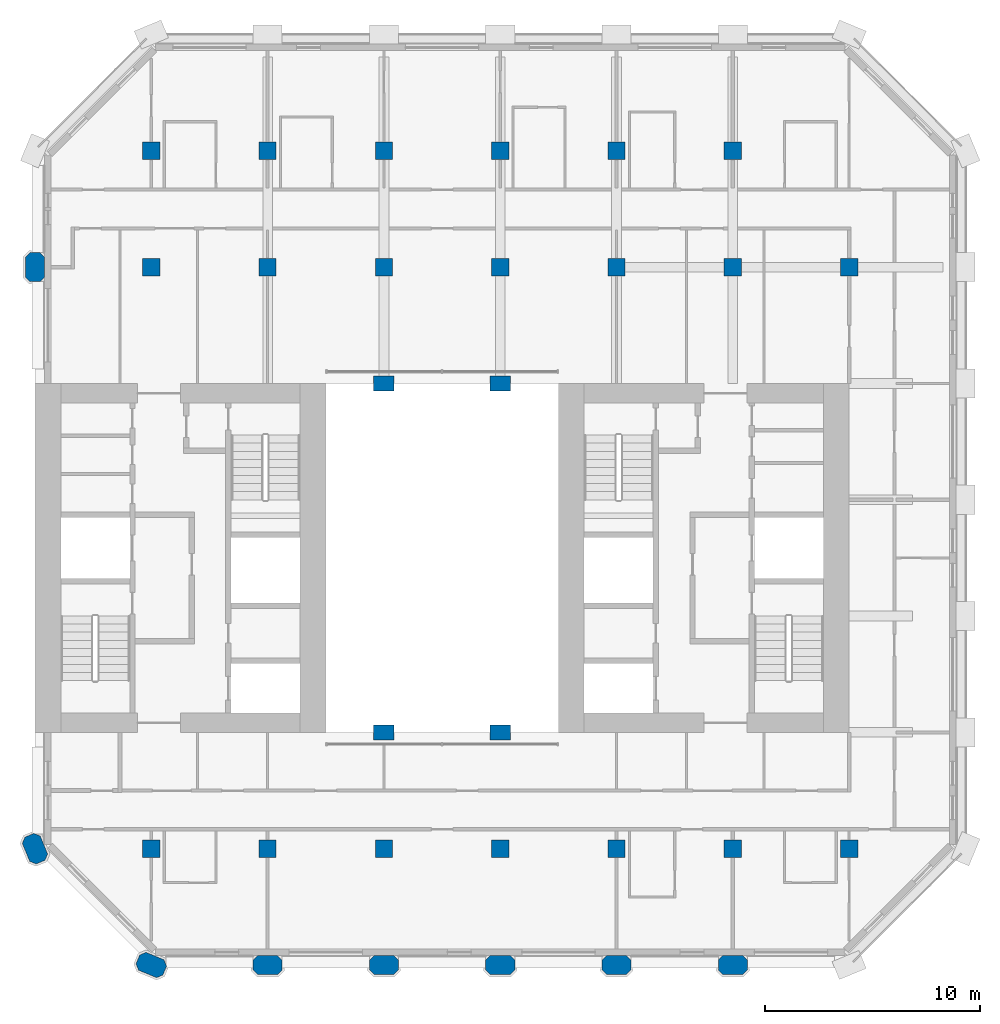
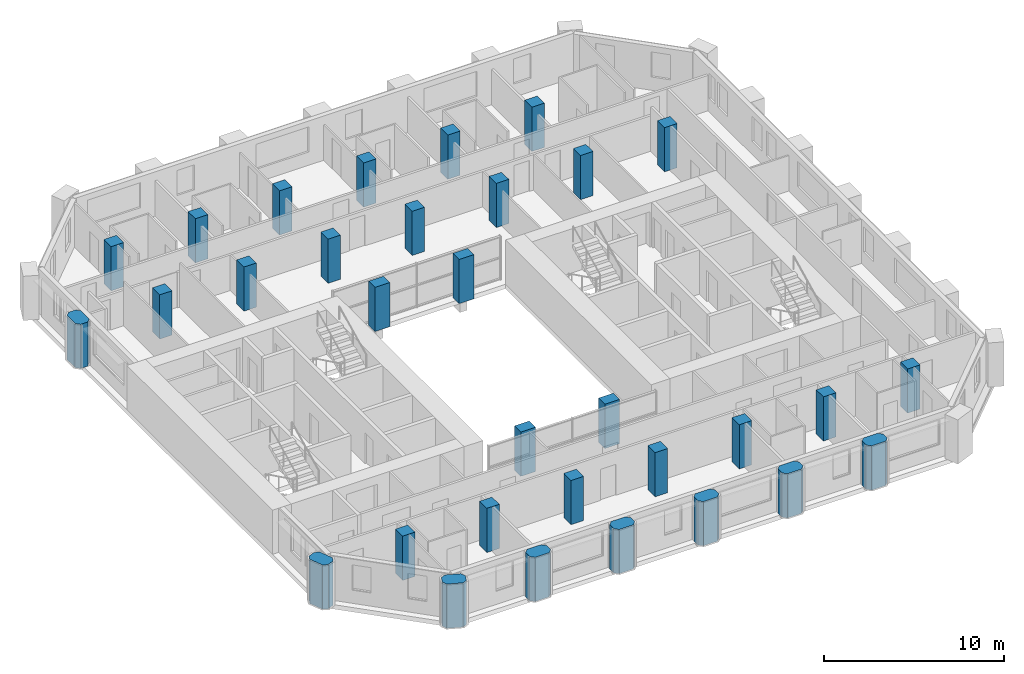
# One storey, part 1 of 12: 32 columns.
"""IFC4 building model written with IfcOpenShell, lengths in metres."""

from ifc_helpers import new_model, si_unit, direction, frame, origin, origin_2d, place, context, subcontext, project, spatial, polyline, rectangle, outline, extrude, material, material_profile, profile_set, type_object, element, save


model = new_model("IFC4")

# Units and contexts
model_context = context("Model", 3, precision=1e-05, world=origin(), true_north=direction((0.0, 1.0)))
body_context = subcontext(model_context, "Body", "Model", "MODEL_VIEW")
ifc_project = project(units=[si_unit("LENGTHUNIT", "METRE"), si_unit("AREAUNIT", "SQUARE_METRE"), si_unit("VOLUMEUNIT", "CUBIC_METRE"), si_unit("PLANEANGLEUNIT", "RADIAN"), si_unit("MASSUNIT", "GRAM", prefix="KILO")], contexts=[model_context])

# Site, building, storey
site_placement = place(None, origin())
site = spatial("IfcSite", under=ifc_project, at=site_placement, CompositionType="ELEMENT")
building_placement = place(site_placement, origin())
building = spatial("IfcBuilding", under=site, at=building_placement, Name="Tabaq Tower and Sports Hall", CompositionType="ELEMENT")
storey_placement = place(building_placement, frame((0.0, 0.0, 190.60009765625)))
storey = spatial("IfcBuildingStorey", under=building, at=storey_placement, Name="L46", CompositionType="ELEMENT", Elevation=190.60009765625)

# Columns
ifc_material_1 = material(Name="Concrete C50/60", Category="concrete")
ifc_material_profile_1 = material_profile(ifc_material_1, rectangle(XDim=0.949951171875, YDim=0.699951171875, at=origin_2d()), Name="ATRIUM COLUMN 950x700")
ifc_profile_set_1 = profile_set([ifc_material_profile_1], Name="Concrete C50/60")
column_type_1 = type_object("IfcColumnType", Name="RC COLUMN ATRIUM COLUMN 950x700 C50/60", PredefinedType="COLUMN", material=ifc_profile_set_1)
for number, where, z_axis, x_axis, name in (
    (1, (21.60009765625, 16.199951171875, 0.0), (0.0, 0.0, 1.0), (1.0, 0.0, 0.0), "Atrium Column 5/D L46"),
    (2, (27.0, 16.199951171875, 0.0), (0.0, 0.0, 1.0), (1.0, 0.0, 0.0), "Atrium Column 6/D L46"),
    (3, (21.60009765625, 32.39990234375, 0.0), (0.0, 0.0, 1.0), (1.0, 0.0, 0.0), "Atrium Column 5/G L46"),
    (4, (27.0, 32.39990234375, 0.0), (0.0, 0.0, 1.0), (1.0, 0.0, 0.0), "Atrium Column 6/G L46"),
):
    element("IfcColumn", number, at=place(storey_placement, frame(where, z_axis=z_axis, x_axis=x_axis)), inside=storey, type_object=column_type_1, Name=name, PredefinedType="COLUMN", context=body_context, shape_type="SweptSolid", body=[
        extrude(rectangle(XDim=0.949951171875, YDim=0.699951171875, at=origin_2d()), origin(), (0.0, 0.0, 1.0), 3.0),
    ])
ifc_material_2 = material(Name="Concrete C50/60", Category="concrete")
ifc_material_profile_2 = material_profile(ifc_material_2, rectangle(XDim=0.800048828125, YDim=0.800048828125, at=origin_2d()), Name="COLUMN 800x800")
ifc_profile_set_2 = profile_set([ifc_material_profile_2], Name="Concrete C50/60")
column_type_2 = type_object("IfcColumnType", Name="RC COLUMN COLUMN 800x800 C50/60", PredefinedType="COLUMN", material=ifc_profile_set_2)
for number, where, z_axis, x_axis, name in (
    (5, (10.800048828125, 10.800048828125, 0.0), (0.0, 0.0, 1.0), (1.0, 0.0, 0.0), "Column 3/C L46"),
    (6, (16.199951171875, 10.800048828125, 0.0), (0.0, 0.0, 1.0), (1.0, 0.0, 0.0), "Column 4/C L46"),
    (7, (21.60009765625, 10.800048828125, 0.0), (0.0, 0.0, 1.0), (1.0, 0.0, 0.0), "Column 5/C L46"),
    (8, (27.0, 10.800048828125, 0.0), (0.0, 0.0, 1.0), (1.0, 0.0, 0.0), "Column 6/C L46"),
    (9, (32.39990234375, 10.800048828125, 0.0), (0.0, 0.0, 1.0), (1.0, 0.0, 0.0), "Column 7/C L46"),
    (10, (37.800048828125, 10.800048828125, 0.0), (0.0, 0.0, 1.0), (1.0, 0.0, 0.0), "Column 8/C L46"),
    (11, (43.199951171875, 10.800048828125, 0.0), (0.0, 0.0, 1.0), (1.0, 0.0, 0.0), "Column 9/C L46"),
    (12, (10.800048828125, 37.800048828125, 0.0), (0.0, 0.0, 1.0), (1.0, 0.0, 0.0), "Column 3/H L46"),
    (13, (16.199951171875, 37.800048828125, 0.0), (0.0, 0.0, 1.0), (1.0, 0.0, 0.0), "Column 4/H L46"),
    (14, (21.60009765625, 37.800048828125, 0.0), (0.0, 0.0, 1.0), (1.0, 0.0, 0.0), "Column 5/H L46"),
    (15, (27.0, 37.800048828125, 0.0), (0.0, 0.0, 1.0), (1.0, 0.0, 0.0), "Column 6/H L46"),
    (16, (32.39990234375, 37.800048828125, 0.0), (0.0, 0.0, 1.0), (1.0, 0.0, 0.0), "Column 7/H L46"),
    (17, (37.800048828125, 37.800048828125, 0.0), (0.0, 0.0, 1.0), (1.0, 0.0, 0.0), "Column 8/H L46"),
    (18, (43.199951171875, 37.800048828125, 0.0), (0.0, 0.0, 1.0), (1.0, 0.0, 0.0), "Column 9/H L46"),
    (19, (10.800048828125, 43.199951171875, 0.0), (0.0, 0.0, 1.0), (1.0, 0.0, 0.0), "Column 3/I L46"),
    (20, (16.199951171875, 43.199951171875, 0.0), (0.0, 0.0, 1.0), (1.0, 0.0, 0.0), "Column 4/I L46"),
    (21, (21.60009765625, 43.199951171875, 0.0), (0.0, 0.0, 1.0), (1.0, 0.0, 0.0), "Column 5/I L46"),
    (22, (27.0, 43.199951171875, 0.0), (0.0, 0.0, 1.0), (1.0, 0.0, 0.0), "Column 6/I L46"),
    (23, (32.39990234375, 43.199951171875, 0.0), (0.0, 0.0, 1.0), (1.0, 0.0, 0.0), "Column 7/I L46"),
    (24, (37.800048828125, 43.199951171875, 0.0), (0.0, 0.0, 1.0), (1.0, 0.0, 0.0), "Column 8/I L46"),
):
    element("IfcColumn", number, at=place(storey_placement, frame(where, z_axis=z_axis, x_axis=x_axis)), inside=storey, type_object=column_type_2, Name=name, PredefinedType="COLUMN", context=body_context, shape_type="SweptSolid", body=[
        extrude(rectangle(XDim=0.800048828125, YDim=0.800048828125, at=origin_2d()), origin(), (0.0, 0.0, 1.0), 3.0),
    ])
ifc_material_3 = material(Name="Concrete C50/60", Category="concrete")
ifc_material_profile_3 = material_profile(ifc_material_3, outline(polyline([(-0.449951171875, -0.449951171875), (0.449951171875, -0.449951171875), (0.675048828125, -0.22509765625), (0.675048828125, 0.22509765625), (0.449951171875, 0.449951171875), (-0.449951171875, 0.449951171875), (-0.675048828125, 0.22509765625), (-0.675048828125, -0.22509765625), (-0.449951171875, -0.449951171875)])), Name="PIER 1350x900")
ifc_profile_set_3 = profile_set([ifc_material_profile_3], Name="Concrete C50/60")
column_type_3 = type_object("IfcColumnType", Name="RC COLUMN PIER 1350x900 C50/60", PredefinedType="COLUMN", material=ifc_profile_set_3)
for number, where, z_axis, x_axis, name in (
    (25, (10.800048828125, 5.39990234375, 0.0), (0.0, 0.0, 1.0), (-0.923879532511, 0.382683432365, 0.0), "Pier 3/B L46"),
    (26, (16.199951171875, 5.39990234375, 0.0), (0.0, 0.0, 1.0), (1.0, 0.0, 0.0), "Pier 4/B L46"),
    (27, (21.60009765625, 5.39990234375, 0.0), (0.0, 0.0, 1.0), (1.0, 0.0, 0.0), "Pier 5/B L46"),
    (28, (27.0, 5.39990234375, 0.0), (0.0, 0.0, 1.0), (1.0, 0.0, 0.0), "Pier 6/B L46"),
    (29, (32.39990234375, 5.39990234375, 0.0), (0.0, 0.0, 1.0), (1.0, 0.0, 0.0), "Pier 7/B L46"),
    (30, (37.800048828125, 5.39990234375, 0.0), (0.0, 0.0, 1.0), (1.0, 0.0, 0.0), "Pier 8/B L46"),
    (31, (5.39990234375, 10.800048828125, 0.0), (0.0, 0.0, 1.0), (-0.382683432365, 0.923879532511, 0.0), "Pier 2/C L46"),
    (32, (5.39990234375, 37.800048828125, 0.0), (0.0, 0.0, 1.0), (0.0, 1.0, 0.0), "Pier 2/H L46"),
):
    element("IfcColumn", number, at=place(storey_placement, frame(where, z_axis=z_axis, x_axis=x_axis)), inside=storey, type_object=column_type_3, Name=name, PredefinedType="COLUMN", context=body_context, shape_type="SweptSolid", body=[
        extrude(outline(polyline([(-0.449951171875, -0.449951171875), (0.449951171875, -0.449951171875), (0.675048828125, -0.22509765625), (0.675048828125, 0.22509765625), (0.449951171875, 0.449951171875), (-0.449951171875, 0.449951171875), (-0.675048828125, 0.22509765625), (-0.675048828125, -0.22509765625), (-0.449951171875, -0.449951171875)])), origin(), (0.0, 0.0, 1.0), 3.0),
    ])

save(model, "model.ifc")
